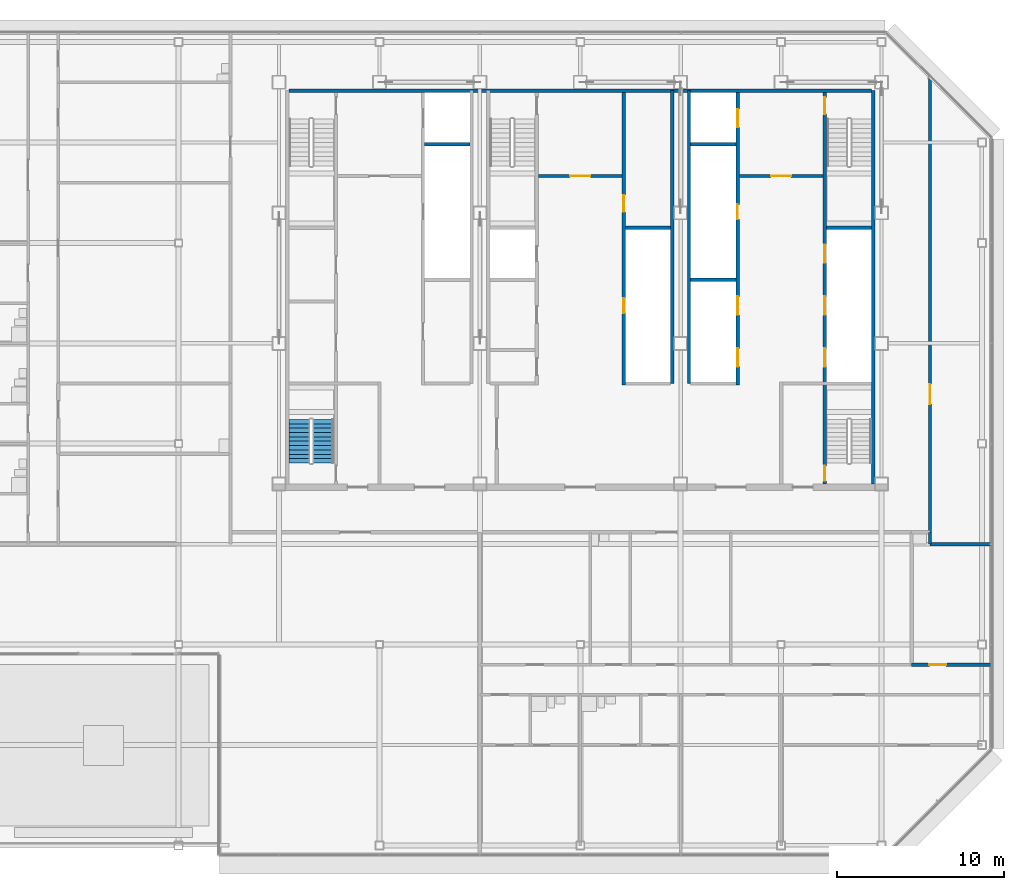
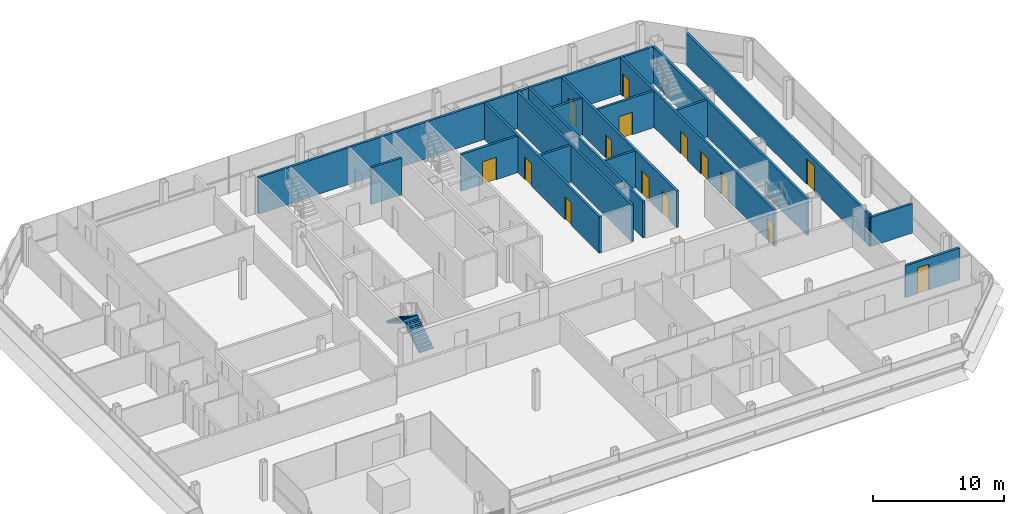
# One storey, part 26 of 31: 18 walls, 15 doors, 2 stair flights, 15 openings, 1 element without a shape of its own.
"""IFC4 building model written with IfcOpenShell, lengths in metres."""

from ifc_helpers import new_model, si_unit, direction, frame, frame_2d, origin, place, context, subcontext, project, spatial, polyline, rectangle, outline, extrude, material, layer, layer_set, type_object, element, fill, aggregate, save


model = new_model("IFC4")

# Units and contexts
model_context = context("Model", 3, precision=1e-05, world=origin(), true_north=direction((0.0, 1.0)))
body_context = subcontext(model_context, "Body", "Model", "MODEL_VIEW")
ifc_project = project(units=[si_unit("LENGTHUNIT", "METRE"), si_unit("AREAUNIT", "SQUARE_METRE"), si_unit("VOLUMEUNIT", "CUBIC_METRE"), si_unit("PLANEANGLEUNIT", "RADIAN"), si_unit("MASSUNIT", "GRAM", prefix="KILO")], contexts=[model_context])

# Site, building, storey
site_placement = place(None, origin())
site = spatial("IfcSite", under=ifc_project, at=site_placement, CompositionType="ELEMENT")
building_placement = place(site_placement, origin())
building = spatial("IfcBuilding", under=site, at=building_placement, Name="Sorahane Residences", CompositionType="ELEMENT")
storey_placement = place(building_placement, frame((0.0, 0.0, 319.60009765625)))
storey = spatial("IfcBuildingStorey", under=building, at=storey_placement, Name="L76", CompositionType="ELEMENT", Elevation=319.60009765625)

# Walls
ifc_material_1 = material(Name="Concrete C30", Category="concrete")
ifc_layer_1 = layer(ifc_material_1, 0.199951171875)
ifc_layer_set_1 = layer_set([ifc_layer_1], Name="Core face wall 200 EI 180")
wall_type_1 = type_object("IfcWallType", Name="Core face wall 200 EI 180", PredefinedType="SOLIDWALL", material=ifc_layer_set_1)
wall_1_placement = place(storey_placement, frame((41.5, 21.60009765625, 0.0), z_axis=(0.0, 0.0, 1.0), x_axis=(0.0, 1.0, 0.0)))
element("IfcWall", 1, at=wall_1_placement, inside=storey, type_object=wall_type_1, Name="L76 core face wall", PredefinedType="SOLIDWALL", context=body_context, shape_type="SweptSolid", body=[
    extrude(rectangle(XDim=23.5, YDim=0.199951171875, at=frame_2d((11.75, 0.0))), origin(), (0.0, 0.0, 1.0), 3.419921875),
])
wall_2_placement = place(storey_placement, frame((6.60009765625, 45.10009765625, 0.0), z_axis=(0.0, 0.0, 1.0), x_axis=(1.0, 0.0, 0.0)))
element("IfcWall", 2, at=wall_2_placement, inside=storey, type_object=wall_type_1, Name="L76 core face wall", PredefinedType="SOLIDWALL", context=body_context, shape_type="SweptSolid", body=[
    extrude(rectangle(XDim=34.7998046875, YDim=0.199951171875, at=frame_2d((17.39990234375, 0.0))), origin(), (0.0, 0.0, 1.0), 3.419921875),
])
for number, where, z_axis, x_axis, name in (
    (3, (29.5, 27.60009765625, 0.0), (0.0, 0.0, 1.0), (0.0, 1.0, 0.0), "L76 core face wall"),
    (4, (30.5, 27.60009765625, 0.0), (0.0, 0.0, 1.0), (0.0, 1.0, 0.0), "L76 core face wall"),
):
    element("IfcWall", number, at=place(storey_placement, frame(where, z_axis=z_axis, x_axis=x_axis)), inside=storey, type_object=wall_type_1, Name=name, PredefinedType="SOLIDWALL", context=body_context, shape_type="SweptSolid", body=[
        extrude(rectangle(XDim=17.5, YDim=0.199951171875, at=frame_2d((8.75, 0.0))), origin(), (0.0, 0.0, 1.0), 3.419921875),
    ])

# Wall, opening, door
ifc_material_2 = material(Name="Concrete blockwork C20 wall", Category="masonry")
ifc_layer_2 = layer(ifc_material_2, 0.199951171875)
ifc_layer_set_2 = layer_set([ifc_layer_2], Name="Corridor wall 200 EI 120")
wall_type_2 = type_object("IfcWallType", Name="Corridor wall 200 EI 120", PredefinedType="SOLIDWALL", material=ifc_layer_set_2)
wall_3_placement = place(storey_placement, frame((44.89990234375, 18.699951171875, 0.0), z_axis=(0.0, 0.0, 1.0), x_axis=(0.0, 1.0, 0.0)))
wall_3 = element("IfcWall", 5, at=wall_3_placement, inside=storey, type_object=wall_type_2, Name="L76 corridor wall", PredefinedType="SOLIDWALL", context=body_context, shape_type="SweptSolid", body=[
    extrude(rectangle(XDim=27.2490234375, YDim=0.199951171875, at=frame_2d((13.62451171875, 0.0))), origin(), (0.0, 0.0, 1.0), 2.969970703125),
])
opening_1_placement = place(wall_3_placement, frame((7.659912109375, 0.0, 0.0)))
opening_1 = element("IfcOpeningElement", 6, at=opening_1_placement, cuts=wall_3, Name="Opening L76-34", PredefinedType="OPENING", context=body_context, shape_type="SweptSolid", body=[
    extrude(rectangle(XDim=1.199951171875, YDim=2.39990234375, at=frame_2d((0.60009765625, 1.199951171875))), frame((0.0, 0.10986328125, 0.0), z_axis=(0.0, -1.0, 0.0), x_axis=(1.0, 0.0, 0.0)), (0.0, 0.0, 1.0), 0.219970703125),
])
ifc_material_3 = material(Name="Steel", Category="steel")
door_type_1 = type_object("IfcDoorType", Name="Lobby door 1200x2400 FD60", OperationType="NOTDEFINED", PredefinedType="DOOR", material=ifc_material_3)
door_1_placement = place(opening_1_placement, frame((1.199951171875, 0.0, 0.0), z_axis=(0.0, 0.0, 1.0), x_axis=(-1.0, 0.0, 0.0)))
door_1 = element("IfcDoor", 7, at=door_1_placement, inside=storey, type_object=door_type_1, Name="Lobby door L76-34", OperationType="SINGLE_SWING_RIGHT", OverallHeight=2.39990234375, OverallWidth=1.199951171875, PredefinedType="DOOR", context=body_context, shape_type="SweptSolid", body=[
    extrude(rectangle(XDim=1.199951171875, YDim=2.39990234375, at=frame_2d((0.60009765625, 1.199951171875))), frame((0.0, 0.02490234375, 0.0), z_axis=(0.0, -1.0, 0.0), x_axis=(1.0, 0.0, 0.0)), (0.0, 0.0, 1.0), 0.050048828125),
])
fill(opening_1, door_1)

ifc_material_4 = material(Name="Concrete C30", Category="concrete")
ifc_layer_3 = layer(ifc_material_4, 0.199951171875)
ifc_layer_set_3 = layer_set([ifc_layer_3], Name="Front room wall 200 EI 120")
wall_type_3 = type_object("IfcWallType", Name="Front room wall 200 EI 120", PredefinedType="PARTITIONING", material=ifc_layer_set_3)
wall_4_placement = place(storey_placement, frame((21.5, 40.0, 0.0), z_axis=(0.0, 0.0, 1.0), x_axis=(1.0, 0.0, 0.0)))
wall_4 = element("IfcWall", 8, at=wall_4_placement, inside=storey, type_object=wall_type_3, Name="L76 front room wall", PredefinedType="PARTITIONING", context=body_context, shape_type="SweptSolid", body=[
    extrude(rectangle(XDim=5.0, YDim=0.199951171875, at=frame_2d((2.5, 0.0))), origin(), (0.0, 0.0, 1.0), 3.419921875),
])
opening_2_placement = place(wall_4_placement, frame((1.89990234375, 0.0, 0.0)))
opening_2 = element("IfcOpeningElement", 9, at=opening_2_placement, cuts=wall_4, Name="Opening L76-C08", PredefinedType="OPENING", context=body_context, shape_type="SweptSolid", body=[
    extrude(rectangle(XDim=1.199951171875, YDim=2.10009765625, at=frame_2d((0.60009765625, 1.050048828125))), frame((0.0, 0.10986328125, 0.0), z_axis=(0.0, -1.0, 0.0), x_axis=(1.0, 0.0, 0.0)), (0.0, 0.0, 1.0), 0.219970703125),
])
ifc_material_5 = material(Name="Steel", Category="steel")
door_type_2 = type_object("IfcDoorType", Name="Front room door 1200x2100 FD120", OperationType="NOTDEFINED", PredefinedType="DOOR", material=ifc_material_5)
door_2_placement = place(opening_2_placement, frame((1.199951171875, 0.0, 0.0), z_axis=(0.0, 0.0, 1.0), x_axis=(-1.0, 0.0, 0.0)))
door_2 = element("IfcDoor", 10, at=door_2_placement, inside=storey, type_object=door_type_2, Name="Front room door Stair S3 vestibule L76", OperationType="DOUBLE_DOOR_SINGLE_SWING", OverallHeight=2.10009765625, OverallWidth=1.199951171875, PredefinedType="DOOR", context=body_context, shape_type="SweptSolid", body=[
    extrude(rectangle(XDim=1.199951171875, YDim=2.10009765625, at=frame_2d((0.60009765625, 1.050048828125))), frame((0.0, 0.02490234375, 0.0), z_axis=(0.0, -1.0, 0.0), x_axis=(1.0, 0.0, 0.0)), (0.0, 0.0, 1.0), 0.050048828125),
])
fill(opening_2, door_2)

wall_5_placement = place(storey_placement, frame((33.5, 40.0, 0.0), z_axis=(0.0, 0.0, 1.0), x_axis=(1.0, 0.0, 0.0)))
wall_5 = element("IfcWall", 11, at=wall_5_placement, inside=storey, type_object=wall_type_3, Name="L76 front room wall", PredefinedType="PARTITIONING", context=body_context, shape_type="SweptSolid", body=[
    extrude(rectangle(XDim=5.0, YDim=0.199951171875, at=frame_2d((2.5, 0.0))), origin(), (0.0, 0.0, 1.0), 3.419921875),
])
opening_3_placement = place(wall_5_placement, frame((1.89990234375, 0.0, 0.0)))
opening_3 = element("IfcOpeningElement", 12, at=opening_3_placement, cuts=wall_5, Name="Opening L76-C09", PredefinedType="OPENING", context=body_context, shape_type="SweptSolid", body=[
    extrude(rectangle(XDim=1.199951171875, YDim=2.10009765625, at=frame_2d((0.60009765625, 1.050048828125))), frame((0.0, 0.10986328125, 0.0), z_axis=(0.0, -1.0, 0.0), x_axis=(1.0, 0.0, 0.0)), (0.0, 0.0, 1.0), 0.219970703125),
])
door_3_placement = place(opening_3_placement, frame((1.199951171875, 0.0, 0.0), z_axis=(0.0, 0.0, 1.0), x_axis=(-1.0, 0.0, 0.0)))
door_3 = element("IfcDoor", 13, at=door_3_placement, inside=storey, type_object=door_type_2, Name="Front room door Firefighting lobby FF2 front room L76", OperationType="DOUBLE_DOOR_SINGLE_SWING", OverallHeight=2.10009765625, OverallWidth=1.199951171875, PredefinedType="DOOR", context=body_context, shape_type="SweptSolid", body=[
    extrude(rectangle(XDim=1.199951171875, YDim=2.10009765625, at=frame_2d((0.60009765625, 1.050048828125))), frame((0.0, 0.02490234375, 0.0), z_axis=(0.0, -1.0, 0.0), x_axis=(1.0, 0.0, 0.0)), (0.0, 0.0, 1.0), 0.050048828125),
])
fill(opening_3, door_3)

# Wall
ifc_material_6 = material(Name="Concrete blockwork C20 wall", Category="masonry")
ifc_layer_4 = layer(ifc_material_6, 0.199951171875)
ifc_layer_set_4 = layer_set([ifc_layer_4], Name="Kitchen wall 200 EI 180")
wall_type_4 = type_object("IfcWallType", Name="Kitchen wall 200 EI 180", PredefinedType="SOLIDWALL", material=ifc_layer_set_4)
wall_6_placement = place(storey_placement, frame((44.89990234375, 18.0, 0.0), z_axis=(0.0, 0.0, 1.0), x_axis=(0.0, 1.0, 0.0)))
element("IfcWall", 14, at=wall_6_placement, inside=storey, type_object=wall_type_4, Name="L76 kitchen wall", PredefinedType="SOLIDWALL", context=body_context, shape_type="SweptSolid", body=[
    extrude(rectangle(XDim=0.699951171875, YDim=0.199951171875, at=frame_2d((0.35009765625, 0.0))), origin(), (0.0, 0.0, 1.0), 2.969970703125),
])

# Wall, opening, door
wall_7_placement = place(storey_placement, frame((43.800048828125, 10.800048828125, 0.0), z_axis=(0.0, 0.0, 1.0), x_axis=(1.0, 0.0, 0.0)))
wall_7 = element("IfcWall", 15, at=wall_7_placement, inside=storey, type_object=wall_type_4, Name="L76 kitchen wall", PredefinedType="SOLIDWALL", context=body_context, shape_type="SweptSolid", body=[
    extrude(rectangle(XDim=4.800048828125, YDim=0.199951171875, at=frame_2d((2.39990234375, 0.0))), origin(), (0.0, 0.0, 1.0), 2.969970703125),
])
opening_4_placement = place(wall_7_placement, frame((1.06005859375, 0.0, 0.0)))
opening_4 = element("IfcOpeningElement", 16, at=opening_4_placement, cuts=wall_7, Name="Opening L76-05", PredefinedType="OPENING", context=body_context, shape_type="SweptSolid", body=[
    extrude(rectangle(XDim=1.0, YDim=2.39990234375, at=frame_2d((0.5, 1.199951171875))), frame((0.0, 0.10986328125, 0.0), z_axis=(0.0, -1.0, 0.0), x_axis=(1.0, 0.0, 0.0)), (0.0, 0.0, 1.0), 0.219970703125),
])
ifc_material_7 = material(Name="Steel", Category="steel")
door_type_3 = type_object("IfcDoorType", Name="Kitchen door 1000x2400 FD120", OperationType="NOTDEFINED", PredefinedType="DOOR", material=ifc_material_7)
door_4_placement = place(opening_4_placement, origin())
door_4 = element("IfcDoor", 17, at=door_4_placement, inside=storey, type_object=door_type_3, Name="Kitchen door L76-05", OperationType="SINGLE_SWING_RIGHT", OverallHeight=2.39990234375, OverallWidth=1.0, PredefinedType="DOOR", context=body_context, shape_type="SweptSolid", body=[
    extrude(rectangle(XDim=1.0, YDim=2.39990234375, at=frame_2d((0.5, 1.199951171875))), frame((0.0, 0.02490234375, 0.0), z_axis=(0.0, -1.0, 0.0), x_axis=(1.0, 0.0, 0.0)), (0.0, 0.0, 1.0), 0.050048828125),
])
fill(opening_4, door_4)

# Wall
wall_8_placement = place(storey_placement, frame((44.89990234375, 18.0, 0.0), z_axis=(0.0, 0.0, 1.0), x_axis=(1.0, 0.0, 0.0)))
element("IfcWall", 18, at=wall_8_placement, inside=storey, type_object=wall_type_4, Name="L76 kitchen wall", PredefinedType="SOLIDWALL", context=body_context, shape_type="SweptSolid", body=[
    extrude(rectangle(XDim=3.7001953125, YDim=0.199951171875, at=frame_2d((1.85009765625, 0.0))), origin(), (0.0, 0.0, 1.0), 2.719970703125),
])

# Wall, openings, doors
ifc_material_8 = material(Name="Concrete C30", Category="concrete")
ifc_layer_5 = layer(ifc_material_8, 0.199951171875)
ifc_layer_set_5 = layer_set([ifc_layer_5], Name="Lift shaft wall 200 EI 120")
wall_type_5 = type_object("IfcWallType", Name="Lift shaft wall 200 EI 120", PredefinedType="SOLIDWALL", material=ifc_layer_set_5)
wall_9_placement = place(storey_placement, frame((33.39990234375, 27.5, 0.0), z_axis=(0.0, 0.0, 1.0), x_axis=(0.0, 1.0, 0.0)))
wall_9 = element("IfcWall", 19, at=wall_9_placement, inside=storey, type_object=wall_type_5, Name="L76 lift shaft wall", PredefinedType="SOLIDWALL", context=body_context, shape_type="SweptSolid", body=[
    extrude(rectangle(XDim=17.5, YDim=0.199951171875, at=frame_2d((8.75, 0.0))), origin(), (0.0, 0.0, 1.0), 3.419921875),
])
opening_5_placement = place(wall_9_placement, frame((1.10009765625, 0.0, 0.0)))
opening_5 = element("IfcOpeningElement", 20, at=opening_5_placement, cuts=wall_9, Name="Opening L76-C13", PredefinedType="OPENING", context=body_context, shape_type="SweptSolid", body=[
    extrude(rectangle(XDim=1.10009765625, YDim=2.10009765625, at=frame_2d((0.550048828125, 1.050048828125))), frame((0.0, 0.10986328125, 0.0), z_axis=(0.0, -1.0, 0.0), x_axis=(1.0, 0.0, 0.0)), (0.0, 0.0, 1.0), 0.219970703125),
])
opening_6_placement = place(wall_9_placement, frame((4.199951171875, 0.0, 0.0)))
opening_6 = element("IfcOpeningElement", 21, at=opening_6_placement, cuts=wall_9, Name="Opening L76-C14", PredefinedType="OPENING", context=body_context, shape_type="SweptSolid", body=[
    extrude(rectangle(XDim=1.10009765625, YDim=2.10009765625, at=frame_2d((0.550048828125, 1.050048828125))), frame((0.0, 0.10986328125, 0.0), z_axis=(0.0, -1.0, 0.0), x_axis=(1.0, 0.0, 0.0)), (0.0, 0.0, 1.0), 0.219970703125),
])
opening_7_placement = place(wall_9_placement, frame((15.39990234375, 0.0, 0.0)))
opening_7 = element("IfcOpeningElement", 22, at=opening_7_placement, cuts=wall_9, Name="Opening L76-C15", PredefinedType="OPENING", context=body_context, shape_type="SweptSolid", body=[
    extrude(rectangle(XDim=1.10009765625, YDim=2.10009765625, at=frame_2d((0.550048828125, 1.050048828125))), frame((0.0, 0.10986328125, 0.0), z_axis=(0.0, -1.0, 0.0), x_axis=(1.0, 0.0, 0.0)), (0.0, 0.0, 1.0), 0.219970703125),
])
opening_8_placement = place(wall_9_placement, frame((9.89990234375, 0.0, 0.0)))
opening_8 = element("IfcOpeningElement", 23, at=opening_8_placement, cuts=wall_9, Name="Opening L76-C28", PredefinedType="OPENING", context=body_context, shape_type="SweptSolid", body=[
    extrude(rectangle(XDim=0.89990234375, YDim=2.10009765625, at=frame_2d((0.449951171875, 1.050048828125))), frame((0.0, 0.10986328125, 0.0), z_axis=(0.0, -1.0, 0.0), x_axis=(1.0, 0.0, 0.0)), (0.0, 0.0, 1.0), 0.219970703125),
])
ifc_material_9 = material(Name="Aluminium and stainless steel", Category="steel")
door_type_4 = type_object("IfcDoorType", Name="Lift landing door 1100x2100 E 60", OperationType="NOTDEFINED", PredefinedType="DOOR", material=ifc_material_9)
door_5_placement = place(opening_5_placement, origin())
door_5 = element("IfcDoor", 24, at=door_5_placement, inside=storey, type_object=door_type_4, Name="Lift landing door HR4 L76", OperationType="DOUBLE_DOOR_SLIDING", OverallHeight=2.10009765625, OverallWidth=1.10009765625, PredefinedType="DOOR", context=body_context, shape_type="SweptSolid", body=[
    extrude(rectangle(XDim=1.10009765625, YDim=2.10009765625, at=frame_2d((0.550048828125, 1.050048828125))), frame((0.0, 0.02490234375, 0.0), z_axis=(0.0, -1.0, 0.0), x_axis=(1.0, 0.0, 0.0)), (0.0, 0.0, 1.0), 0.050048828125),
])
fill(opening_5, door_5)
door_6_placement = place(opening_6_placement, origin())
door_6 = element("IfcDoor", 25, at=door_6_placement, inside=storey, type_object=door_type_4, Name="Lift landing door HR5 L76", OperationType="DOUBLE_DOOR_SLIDING", OverallHeight=2.10009765625, OverallWidth=1.10009765625, PredefinedType="DOOR", context=body_context, shape_type="SweptSolid", body=[
    extrude(rectangle(XDim=1.10009765625, YDim=2.10009765625, at=frame_2d((0.550048828125, 1.050048828125))), frame((0.0, 0.02490234375, 0.0), z_axis=(0.0, -1.0, 0.0), x_axis=(1.0, 0.0, 0.0)), (0.0, 0.0, 1.0), 0.050048828125),
])
fill(opening_6, door_6)
door_7_placement = place(opening_7_placement, origin())
door_7 = element("IfcDoor", 26, at=door_7_placement, inside=storey, type_object=door_type_4, Name="Lift landing door FF2 L76", OperationType="DOUBLE_DOOR_SLIDING", OverallHeight=2.10009765625, OverallWidth=1.10009765625, PredefinedType="DOOR", context=body_context, shape_type="SweptSolid", body=[
    extrude(rectangle(XDim=1.10009765625, YDim=2.10009765625, at=frame_2d((0.550048828125, 1.050048828125))), frame((0.0, 0.02490234375, 0.0), z_axis=(0.0, -1.0, 0.0), x_axis=(1.0, 0.0, 0.0)), (0.0, 0.0, 1.0), 0.050048828125),
])
fill(opening_7, door_7)
ifc_material_10 = material(Name="Steel", Category="steel")
door_type_5 = type_object("IfcDoorType", Name="Riser door 900x2100 FD120", OperationType="NOTDEFINED", PredefinedType="DOOR", material=ifc_material_10)
door_8_placement = place(opening_8_placement, frame((0.89990234375, 0.0, 0.0), z_axis=(0.0, 0.0, 1.0), x_axis=(-1.0, 0.0, 0.0)))
door_8 = element("IfcDoor", 27, at=door_8_placement, inside=storey, type_object=door_type_5, Name="Riser door R2 L76", OperationType="SINGLE_SWING_LEFT", OverallHeight=2.10009765625, OverallWidth=0.89990234375, PredefinedType="DOOR", context=body_context, shape_type="SweptSolid", body=[
    extrude(rectangle(XDim=0.89990234375, YDim=2.10009765625, at=frame_2d((0.449951171875, 1.050048828125))), frame((0.0, 0.02490234375, 0.0), z_axis=(0.0, -1.0, 0.0), x_axis=(1.0, 0.0, 0.0)), (0.0, 0.0, 1.0), 0.050048828125),
])
fill(opening_8, door_8)

# Walls
for number, where, z_axis, x_axis, name in (
    (28, (30.60009765625, 33.800048828125, 0.0), (0.0, 0.0, 1.0), (1.0, 0.0, 0.0), "L76 lift shaft wall"),
    (29, (14.699951171875, 41.89990234375, 0.0), (0.0, 0.0, 1.0), (1.0, 0.0, 0.0), "L76 lift shaft wall"),
    (30, (30.60009765625, 41.89990234375, 0.0), (0.0, 0.0, 1.0), (1.0, 0.0, 0.0), "L76 lift shaft wall"),
):
    element("IfcWall", number, at=place(storey_placement, frame(where, z_axis=z_axis, x_axis=x_axis)), inside=storey, type_object=wall_type_5, Name=name, PredefinedType="SOLIDWALL", context=body_context, shape_type="SweptSolid", body=[
        extrude(rectangle(XDim=2.699951171875, YDim=0.199951171875, at=frame_2d((1.35009765625, 0.0))), origin(), (0.0, 0.0, 1.0), 3.419921875),
    ])

# Wall, openings, doors
ifc_material_11 = material(Name="Concrete C30", Category="concrete")
ifc_layer_6 = layer(ifc_material_11, 0.199951171875)
ifc_layer_set_6 = layer_set([ifc_layer_6], Name="Riser shaft wall 200 EI 120")
wall_type_6 = type_object("IfcWallType", Name="Riser shaft wall 200 EI 120", PredefinedType="SOLIDWALL", material=ifc_layer_set_6)
wall_10_placement = place(storey_placement, frame((26.60009765625, 27.5, 0.0), z_axis=(0.0, 0.0, 1.0), x_axis=(0.0, 1.0, 0.0)))
wall_10 = element("IfcWall", 31, at=wall_10_placement, inside=storey, type_object=wall_type_6, Name="L76 riser wall", PredefinedType="SOLIDWALL", context=body_context, shape_type="SweptSolid", body=[
    extrude(rectangle(XDim=17.5, YDim=0.199951171875, at=frame_2d((8.75, 0.0))), origin(), (0.0, 0.0, 1.0), 3.419921875),
])
opening_9_placement = place(wall_10_placement, frame((4.300048828125, 0.0, 0.0)))
opening_9 = element("IfcOpeningElement", 32, at=opening_9_placement, cuts=wall_10, Name="Opening L76-C30", PredefinedType="OPENING", context=body_context, shape_type="SweptSolid", body=[
    extrude(rectangle(XDim=0.89990234375, YDim=2.10009765625, at=frame_2d((0.449951171875, 1.050048828125))), frame((0.0, 0.10986328125, 0.0), z_axis=(0.0, -1.0, 0.0), x_axis=(1.0, 0.0, 0.0)), (0.0, 0.0, 1.0), 0.219970703125),
])
opening_10_placement = place(wall_10_placement, frame((10.35009765625, 0.0, 0.0)))
opening_10 = element("IfcOpeningElement", 33, at=opening_10_placement, cuts=wall_10, Name="Opening L76-C31", PredefinedType="OPENING", context=body_context, shape_type="SweptSolid", body=[
    extrude(rectangle(XDim=1.0, YDim=2.10009765625, at=frame_2d((0.5, 1.050048828125))), frame((0.0, 0.10986328125, 0.0), z_axis=(0.0, -1.0, 0.0), x_axis=(1.0, 0.0, 0.0)), (0.0, 0.0, 1.0), 0.219970703125),
])
door_9_placement = place(opening_9_placement, origin())
door_9 = element("IfcDoor", 34, at=door_9_placement, inside=storey, type_object=door_type_5, Name="Riser door R4 L76", OperationType="SINGLE_SWING_LEFT", OverallHeight=2.10009765625, OverallWidth=0.89990234375, PredefinedType="DOOR", context=body_context, shape_type="SweptSolid", body=[
    extrude(rectangle(XDim=0.89990234375, YDim=2.10009765625, at=frame_2d((0.449951171875, 1.050048828125))), frame((0.0, 0.02490234375, 0.0), z_axis=(0.0, -1.0, 0.0), x_axis=(1.0, 0.0, 0.0)), (0.0, 0.0, 1.0), 0.050048828125),
])
fill(opening_9, door_9)
ifc_material_12 = material(Name="Steel", Category="steel")
door_type_6 = type_object("IfcDoorType", Name="Service room door 1000x2100 FD60", OperationType="NOTDEFINED", PredefinedType="DOOR", material=ifc_material_12)
door_10_placement = place(opening_10_placement, frame((1.0, 0.0, 0.0), z_axis=(0.0, 0.0, 1.0), x_axis=(-1.0, 0.0, 0.0)))
door_10 = element("IfcDoor", 35, at=door_10_placement, inside=storey, type_object=door_type_6, Name="Service room door Housekeeping store L76", OperationType="SINGLE_SWING_LEFT", OverallHeight=2.10009765625, OverallWidth=1.0, PredefinedType="DOOR", context=body_context, shape_type="SweptSolid", body=[
    extrude(rectangle(XDim=1.0, YDim=2.10009765625, at=frame_2d((0.5, 1.050048828125))), frame((0.0, 0.02490234375, 0.0), z_axis=(0.0, -1.0, 0.0), x_axis=(1.0, 0.0, 0.0)), (0.0, 0.0, 1.0), 0.050048828125),
])
fill(opening_10, door_10)

# Wall
wall_11_placement = place(storey_placement, frame((26.699951171875, 36.89990234375, 0.0), z_axis=(0.0, 0.0, 1.0), x_axis=(1.0, 0.0, 0.0)))
element("IfcWall", 36, at=wall_11_placement, inside=storey, type_object=wall_type_6, Name="L76 riser wall", PredefinedType="SOLIDWALL", context=body_context, shape_type="SweptSolid", body=[
    extrude(rectangle(XDim=2.699951171875, YDim=0.199951171875, at=frame_2d((1.35009765625, 0.0))), origin(), (0.0, 0.0, 1.0), 3.419921875),
])

# Wall, openings, doors
ifc_material_13 = material(Name="Concrete C30", Category="concrete")
ifc_layer_7 = layer(ifc_material_13, 0.199951171875)
ifc_layer_set_7 = layer_set([ifc_layer_7], Name="Stair enclosure wall 200 EI 120")
wall_type_7 = type_object("IfcWallType", Name="Stair enclosure wall 200 EI 120", PredefinedType="SOLIDWALL", material=ifc_layer_set_7)
wall_12_placement = place(storey_placement, frame((38.60009765625, 21.60009765625, 0.0), z_axis=(0.0, 0.0, 1.0), x_axis=(0.0, 1.0, 0.0)))
wall_12 = element("IfcWall", 37, at=wall_12_placement, inside=storey, type_object=wall_type_7, Name="L76 stair enclosure wall", PredefinedType="SOLIDWALL", context=body_context, shape_type="SweptSolid", body=[
    extrude(rectangle(XDim=23.39990234375, YDim=0.199951171875, at=frame_2d((11.699951171875, 0.0))), origin(), (0.0, 0.0, 1.0), 3.419921875),
])
opening_11_placement = place(wall_12_placement, frame((7.0, 0.0, 0.0)))
opening_11 = element("IfcOpeningElement", 38, at=opening_11_placement, cuts=wall_12, Name="Opening L76-C10", PredefinedType="OPENING", context=body_context, shape_type="SweptSolid", body=[
    extrude(rectangle(XDim=1.10009765625, YDim=2.10009765625, at=frame_2d((0.550048828125, 1.050048828125))), frame((0.0, 0.10986328125, 0.0), z_axis=(0.0, -1.0, 0.0), x_axis=(1.0, 0.0, 0.0)), (0.0, 0.0, 1.0), 0.219970703125),
])
opening_12_placement = place(wall_12_placement, frame((10.10009765625, 0.0, 0.0)))
opening_12 = element("IfcOpeningElement", 39, at=opening_12_placement, cuts=wall_12, Name="Opening L76-C11", PredefinedType="OPENING", context=body_context, shape_type="SweptSolid", body=[
    extrude(rectangle(XDim=1.10009765625, YDim=2.10009765625, at=frame_2d((0.550048828125, 1.050048828125))), frame((0.0, 0.10986328125, 0.0), z_axis=(0.0, -1.0, 0.0), x_axis=(1.0, 0.0, 0.0)), (0.0, 0.0, 1.0), 0.219970703125),
])
opening_13_placement = place(wall_12_placement, frame((13.199951171875, 0.0, 0.0)))
opening_13 = element("IfcOpeningElement", 40, at=opening_13_placement, cuts=wall_12, Name="Opening L76-C12", PredefinedType="OPENING", context=body_context, shape_type="SweptSolid", body=[
    extrude(rectangle(XDim=1.10009765625, YDim=2.10009765625, at=frame_2d((0.550048828125, 1.050048828125))), frame((0.0, 0.10986328125, 0.0), z_axis=(0.0, -1.0, 0.0), x_axis=(1.0, 0.0, 0.0)), (0.0, 0.0, 1.0), 0.219970703125),
])
opening_14_placement = place(wall_12_placement, frame((22.10009765625, 0.0, 0.0)))
opening_14 = element("IfcOpeningElement", 41, at=opening_14_placement, cuts=wall_12, Name="Opening L76-C23", PredefinedType="OPENING", context=body_context, shape_type="SweptSolid", body=[
    extrude(rectangle(XDim=1.0, YDim=2.10009765625, at=frame_2d((0.5, 1.050048828125))), frame((0.0, 0.10986328125, 0.0), z_axis=(0.0, -1.0, 0.0), x_axis=(1.0, 0.0, 0.0)), (0.0, 0.0, 1.0), 0.219970703125),
])
opening_15_placement = place(wall_12_placement, frame((0.175048828125, 0.0, 0.0)))
opening_15 = element("IfcOpeningElement", 42, at=opening_15_placement, cuts=wall_12, Name="Opening L76-C26", PredefinedType="OPENING", context=body_context, shape_type="SweptSolid", body=[
    extrude(rectangle(XDim=0.89990234375, YDim=2.10009765625, at=frame_2d((0.449951171875, 1.050048828125))), frame((0.0, 0.10986328125, 0.0), z_axis=(0.0, -1.0, 0.0), x_axis=(1.0, 0.0, 0.0)), (0.0, 0.0, 1.0), 0.219970703125),
])
door_11_placement = place(opening_11_placement, origin())
door_11 = element("IfcDoor", 43, at=door_11_placement, inside=storey, type_object=door_type_4, Name="Lift landing door HR1 L76", OperationType="DOUBLE_DOOR_SLIDING", OverallHeight=2.10009765625, OverallWidth=1.10009765625, PredefinedType="DOOR", context=body_context, shape_type="SweptSolid", body=[
    extrude(rectangle(XDim=1.10009765625, YDim=2.10009765625, at=frame_2d((0.550048828125, 1.050048828125))), frame((0.0, 0.02490234375, 0.0), z_axis=(0.0, -1.0, 0.0), x_axis=(1.0, 0.0, 0.0)), (0.0, 0.0, 1.0), 0.050048828125),
])
fill(opening_11, door_11)
door_12_placement = place(opening_12_placement, origin())
door_12 = element("IfcDoor", 44, at=door_12_placement, inside=storey, type_object=door_type_4, Name="Lift landing door HR2 L76", OperationType="DOUBLE_DOOR_SLIDING", OverallHeight=2.10009765625, OverallWidth=1.10009765625, PredefinedType="DOOR", context=body_context, shape_type="SweptSolid", body=[
    extrude(rectangle(XDim=1.10009765625, YDim=2.10009765625, at=frame_2d((0.550048828125, 1.050048828125))), frame((0.0, 0.02490234375, 0.0), z_axis=(0.0, -1.0, 0.0), x_axis=(1.0, 0.0, 0.0)), (0.0, 0.0, 1.0), 0.050048828125),
])
fill(opening_12, door_12)
door_13_placement = place(opening_13_placement, origin())
door_13 = element("IfcDoor", 45, at=door_13_placement, inside=storey, type_object=door_type_4, Name="Lift landing door HR3 L76", OperationType="DOUBLE_DOOR_SLIDING", OverallHeight=2.10009765625, OverallWidth=1.10009765625, PredefinedType="DOOR", context=body_context, shape_type="SweptSolid", body=[
    extrude(rectangle(XDim=1.10009765625, YDim=2.10009765625, at=frame_2d((0.550048828125, 1.050048828125))), frame((0.0, 0.02490234375, 0.0), z_axis=(0.0, -1.0, 0.0), x_axis=(1.0, 0.0, 0.0)), (0.0, 0.0, 1.0), 0.050048828125),
])
fill(opening_13, door_13)
ifc_material_14 = material(Name="Steel", Category="steel")
door_type_7 = type_object("IfcDoorType", Name="Stair door 1000x2100 FD120", OperationType="NOTDEFINED", PredefinedType="DOOR", material=ifc_material_14)
door_14_placement = place(opening_14_placement, frame((1.0, 0.0, 0.0), z_axis=(0.0, 0.0, 1.0), x_axis=(-1.0, 0.0, 0.0)))
door_14 = element("IfcDoor", 46, at=door_14_placement, inside=storey, type_object=door_type_7, Name="Stair door S2 L76", OperationType="SINGLE_SWING_LEFT", OverallHeight=2.10009765625, OverallWidth=1.0, PredefinedType="DOOR", context=body_context, shape_type="SweptSolid", body=[
    extrude(rectangle(XDim=1.0, YDim=2.10009765625, at=frame_2d((0.5, 1.050048828125))), frame((0.0, 0.02490234375, 0.0), z_axis=(0.0, -1.0, 0.0), x_axis=(1.0, 0.0, 0.0)), (0.0, 0.0, 1.0), 0.050048828125),
])
fill(opening_14, door_14)
ifc_material_15 = material(Name="Steel", Category="steel")
door_type_8 = type_object("IfcDoorType", Name="Stair door 900x2100 FD120", OperationType="NOTDEFINED", PredefinedType="DOOR", material=ifc_material_15)
door_15_placement = place(opening_15_placement, frame((0.89990234375, 0.0, 0.0), z_axis=(0.0, 0.0, 1.0), x_axis=(-1.0, 0.0, 0.0)))
door_15 = element("IfcDoor", 47, at=door_15_placement, inside=storey, type_object=door_type_8, Name="Stair door S5 L76", OperationType="SINGLE_SWING_LEFT", OverallHeight=2.10009765625, OverallWidth=0.89990234375, PredefinedType="DOOR", context=body_context, shape_type="SweptSolid", body=[
    extrude(rectangle(XDim=0.89990234375, YDim=2.10009765625, at=frame_2d((0.449951171875, 1.050048828125))), frame((0.0, 0.02490234375, 0.0), z_axis=(0.0, -1.0, 0.0), x_axis=(1.0, 0.0, 0.0)), (0.0, 0.0, 1.0), 0.050048828125),
])
fill(opening_15, door_15)

# Wall
wall_13_placement = place(storey_placement, frame((38.699951171875, 36.89990234375, 0.0), z_axis=(0.0, 0.0, 1.0), x_axis=(1.0, 0.0, 0.0)))
element("IfcWall", 48, at=wall_13_placement, inside=storey, type_object=wall_type_7, Name="L76 stair enclosure wall", PredefinedType="SOLIDWALL", context=body_context, shape_type="SweptSolid", body=[
    extrude(rectangle(XDim=2.699951171875, YDim=0.199951171875, at=frame_2d((1.35009765625, 0.0))), origin(), (0.0, 0.0, 1.0), 3.419921875),
])

# Stair, stair flights
ifc_material_16 = material(Name="Concrete C40", Category="concrete")
stair_type = type_object("IfcStairType", Name="Dog-leg stair 1250 Concrete C40", PredefinedType="HALF_TURN_STAIR", material=ifc_material_16)
stair_placement = place(storey_placement, origin())
stair = element("IfcStair", 49, at=stair_placement, inside=storey, type_object=stair_type, Name="L76 Stair S4", PredefinedType="HALF_TURN_STAIR")
ifc_material_17 = material(Name="Concrete C40", Category="concrete")
stair_flight_type = type_object("IfcStairFlightType", Name="Stair flight 1250 Concrete C40", PredefinedType="STRAIGHT", material=ifc_material_17)
stair_flight_1_placement = place(storey_placement, frame((8.625, 22.85009765625, 0.0), z_axis=(0.0, 0.0, 1.0), x_axis=(0.0, 1.0, 0.0)))
stair_flight_1 = element("IfcStairFlight", 50, at=stair_flight_1_placement, type_object=stair_flight_type, Name="S4 flight 1", NumberOfRisers=11, NumberOfTreads=10, PredefinedType="STRAIGHT", RiserHeight=0.163636364, TreadLength=0.26, context=body_context, shape_type="SweptSolid", body=[
    extrude(outline(polyline([(-0.00146484375, 0.0), (-0.00146484375, 0.16357421875), (0.0, 0.16357421875), (0.260009765625, 0.16357421875), (0.260009765625, 0.327392578125), (0.52001953125, 0.327392578125), (0.52001953125, 0.490966796875), (0.780029296875, 0.490966796875), (0.780029296875, 0.654541015625), (1.0400390625, 0.654541015625), (1.0400390625, 0.818115234375), (1.300048828125, 0.818115234375), (1.300048828125, 0.98193359375), (1.56005859375, 0.98193359375), (1.56005859375, 1.1455078125), (1.820068359375, 1.1455078125), (1.820068359375, 1.30908203125), (2.080078125, 1.30908203125), (2.080078125, 1.47265625), (2.340087890625, 1.47265625), (2.340087890625, 1.636474609375), (2.60009765625, 1.636474609375), (2.60009765625, 1.800048828125), (2.60009765625, 1.494384765625), (2.402099609375, 1.369873046875), (2.204345703125, 1.245361328125), (2.00634765625, 1.120849609375), (1.80859375, 0.996337890625), (1.610595703125, 0.871826171875), (1.412841796875, 0.747314453125), (1.21484375, 0.622802734375), (1.01708984375, 0.498046875), (0.819091796875, 0.37353515625), (0.621337890625, 0.2490234375), (0.42333984375, 0.12451171875), (0.2255859375, 0.0), (-0.00146484375, 0.0)])), frame((0.0, 0.625, 0.0), z_axis=(0.0, -1.0, 0.0), x_axis=(1.0, 0.0, 0.0)), (0.0, 0.0, 1.0), 1.25),
])
stair_flight_2_placement = place(storey_placement, frame((7.22509765625, 25.449951171875, 1.7998046875), z_axis=(0.0, 0.0, 1.0), x_axis=(0.0, -1.0, 0.0)))
stair_flight_2 = element("IfcStairFlight", 51, at=stair_flight_2_placement, type_object=stair_flight_type, Name="S4 flight 2", NumberOfRisers=11, NumberOfTreads=10, PredefinedType="STRAIGHT", RiserHeight=0.163636364, TreadLength=0.26, context=body_context, shape_type="SweptSolid", body=[
    extrude(outline(polyline([(0.0, 0.0), (0.0, 0.16357421875), (0.260009765625, 0.16357421875), (0.260009765625, 0.327392578125), (0.52001953125, 0.327392578125), (0.52001953125, 0.490966796875), (0.780029296875, 0.490966796875), (0.780029296875, 0.654541015625), (1.0400390625, 0.654541015625), (1.0400390625, 0.818115234375), (1.300048828125, 0.818115234375), (1.300048828125, 0.98193359375), (1.56005859375, 0.98193359375), (1.56005859375, 1.1455078125), (1.820068359375, 1.1455078125), (1.820068359375, 1.30908203125), (2.080078125, 1.30908203125), (2.080078125, 1.47265625), (2.340087890625, 1.47265625), (2.340087890625, 1.636474609375), (2.60009765625, 1.636474609375), (2.60009765625, 1.800048828125), (2.6015625, 1.800048828125), (2.6015625, 1.494384765625), (2.403564453125, 1.369873046875), (2.20556640625, 1.245361328125), (2.007568359375, 1.120849609375), (1.8095703125, 0.996337890625), (1.611572265625, 0.871826171875), (1.41357421875, 0.747314453125), (1.215576171875, 0.622802734375), (1.017578125, 0.498046875), (0.819580078125, 0.37353515625), (0.62158203125, 0.2490234375), (0.423583984375, 0.12451171875), (0.2255859375, 0.0), (0.0, 0.0)])), frame((0.0, 0.625, 0.0), z_axis=(0.0, -1.0, 0.0), x_axis=(1.0, 0.0, 0.0)), (0.0, 0.0, 1.0), 1.25),
])
aggregate(stair, [stair_flight_1, stair_flight_2])

save(model, "model.ifc")
